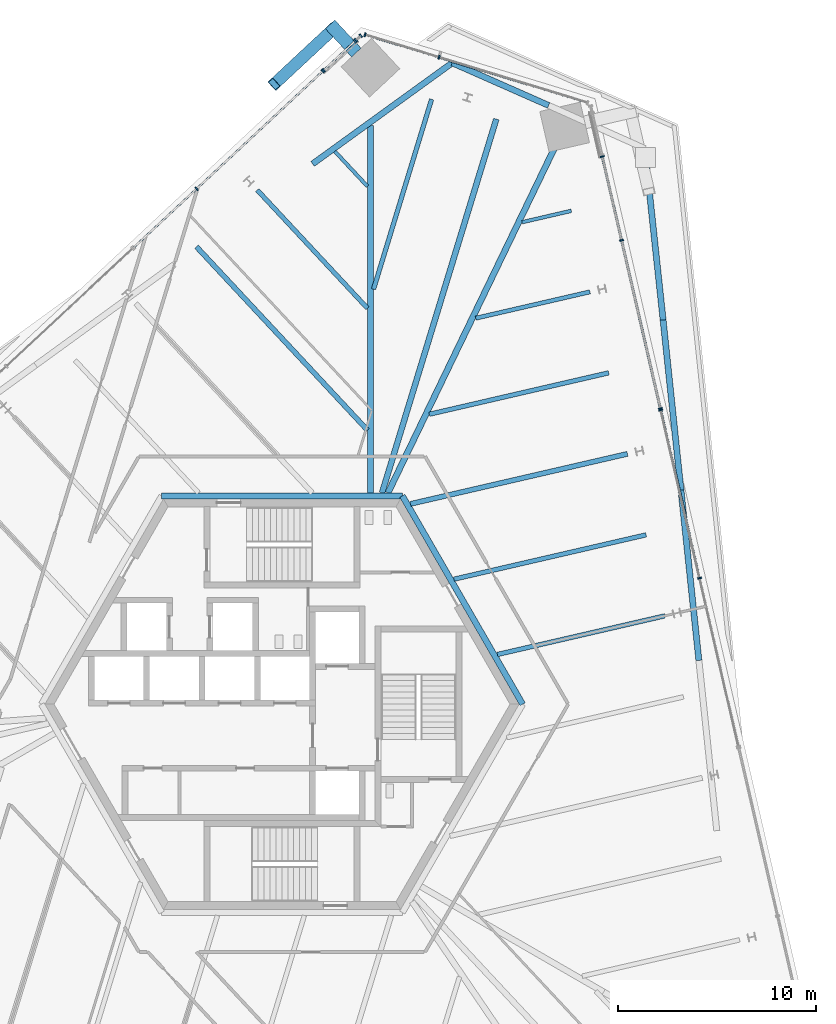
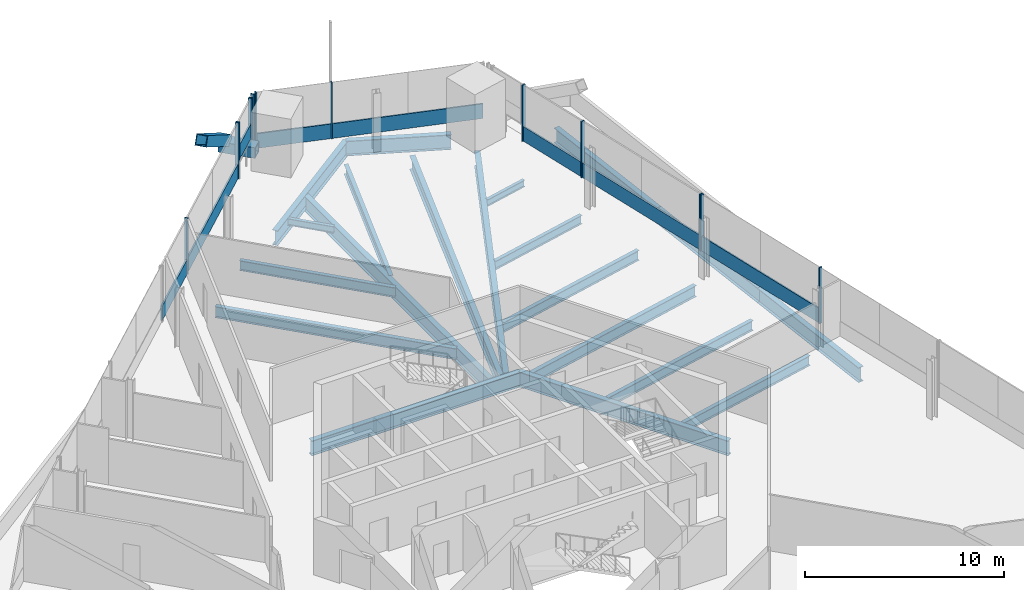
# One storey, part 9 of 25: 23 members, 20 beams, 6 elements without a shape of their own.
"""IFC4 building model written with IfcOpenShell, lengths in metres."""

from ifc_helpers import new_model, si_unit, direction, frame, origin, origin_2d, place, context, subcontext, project, spatial, rectangle, hollow_rectangle, i_section, extrude, source, transform, mapped, material, material_profile, profile_set, type_object, element, aggregate, save


model = new_model("IFC4")

# Units and contexts
model_context = context("Model", 3, precision=1e-05, world=origin(), true_north=direction((0.0, 1.0)))
body_context = subcontext(model_context, "Body", "Model", "MODEL_VIEW")
ifc_project = project(units=[si_unit("LENGTHUNIT", "METRE"), si_unit("AREAUNIT", "SQUARE_METRE"), si_unit("VOLUMEUNIT", "CUBIC_METRE"), si_unit("PLANEANGLEUNIT", "RADIAN"), si_unit("MASSUNIT", "GRAM", prefix="KILO")], contexts=[model_context])

# Site, building, storey
site_placement = place(None, origin())
site = spatial("IfcSite", under=ifc_project, at=site_placement, CompositionType="ELEMENT")
building_placement = place(site_placement, origin())
building = spatial("IfcBuilding", under=site, at=building_placement, Name="Triune Harvest Tower", CompositionType="ELEMENT")
storey_placement = place(building_placement, frame((0.0, 0.0, 98.300048828125)))
storey = spatial("IfcBuildingStorey", under=building, at=storey_placement, Name="L24", CompositionType="ELEMENT", Elevation=98.300048828125)

# Beams
ifc_material_1 = material(Name="Steel ASTM A992 Gr 50", Category="steel")
ifc_material_profile_1 = material_profile(ifc_material_1, i_section(OverallWidth=0.307373046875, OverallDepth=0.922119140625, WebThickness=0.018310546875, FlangeThickness=0.030029296875, at=origin_2d()), Name="W36x182")
ifc_profile_set_1 = profile_set([ifc_material_profile_1], Name="Steel ASTM A992 Gr 50")
beam_type_1 = type_object("IfcBeamType", Name="HG-2 Hip girder W36x182", PredefinedType="BEAM", material=ifc_profile_set_1)
beam_1_placement = place(storey_placement, frame((13.867431640625, 28.310546875, -0.62109375), z_axis=(-0.434864250674, -0.900496020805, 0.0), x_axis=(0.900496020805, -0.434864250674, 0.0)))
element("IfcBeam", 1, at=beam_1_placement, inside=storey, type_object=beam_type_1, Name="beam/L24/HG3", PredefinedType="BEAM", context=body_context, shape_type="SweptSolid", body=[
    extrude(i_section(OverallWidth=0.307373046875, OverallDepth=0.922119140625, WebThickness=0.018310546875, FlangeThickness=0.030029296875, at=origin_2d()), origin(), (0.0, 0.0, 1.0), 19.559814453125),
])
ifc_material_2 = material(Name="Steel ASTM A992 Gr 50", Category="steel")
ifc_material_profile_2 = material_profile(ifc_material_2, i_section(OverallWidth=0.22900390625, OverallDepth=0.612060546875, WebThickness=0.011962890625, FlangeThickness=0.01953125, at=origin_2d()), Name="W24x84")
ifc_profile_set_2 = profile_set([ifc_material_profile_2], Name="Steel ASTM A992 Gr 50")
beam_type_2 = type_object("IfcBeamType", Name="JT-3 Floor joist W24x84", PredefinedType="JOIST", material=ifc_profile_set_2)
beam_2_placement = place(storey_placement, frame((19.37109375, 4.47216796875, -0.466064453125), z_axis=(-0.974372262523, -0.224941534684, 0.0), x_axis=(0.224941534684, -0.974372262523, 0.0)))
element("IfcBeam", 2, at=beam_2_placement, inside=storey, type_object=beam_type_2, Name="beam/L24/JT6", PredefinedType="JOIST", context=body_context, shape_type="SweptSolid", body=[
    extrude(i_section(OverallWidth=0.22900390625, OverallDepth=0.612060546875, WebThickness=0.011962890625, FlangeThickness=0.01953125, at=origin_2d()), origin(), (0.0, 0.0, 1.0), 8.69482421875),
])
beam_3_placement = place(storey_placement, frame((18.4248046875, 8.571533203125, -0.466064453125), z_axis=(-0.974373465867, -0.224936322132, 0.0), x_axis=(0.224936322132, -0.974373465867, 0.0)))
element("IfcBeam", 3, at=beam_3_placement, inside=storey, type_object=beam_type_2, Name="beam/L24/JT7", PredefinedType="JOIST", context=body_context, shape_type="SweptSolid", body=[
    extrude(i_section(OverallWidth=0.22900390625, OverallDepth=0.612060546875, WebThickness=0.011962890625, FlangeThickness=0.01953125, at=origin_2d()), origin(), (0.0, 0.0, 1.0), 9.981201171875),
])
ifc_material_3 = material(Name="Steel ASTM A992 Gr 50", Category="steel")
ifc_material_profile_3 = material_profile(ifc_material_3, i_section(OverallWidth=0.3046875, OverallDepth=0.914306640625, WebThickness=0.0166015625, FlangeThickness=0.02587890625, at=origin_2d()), Name="W36x160")
ifc_profile_set_3 = profile_set([ifc_material_profile_3], Name="Steel ASTM A992 Gr 50")
beam_type_3 = type_object("IfcBeamType", Name="CG-1 Core ring girder W36x160", PredefinedType="BEAM", material=ifc_profile_set_3)
shared_shape_1 = source(origin(), body_context, "Body", "SweptSolid", [
    extrude(i_section(OverallWidth=0.3046875, OverallDepth=0.914306640625, WebThickness=0.0166015625, FlangeThickness=0.02587890625, at=origin_2d()), origin(), (0.0, 0.0, 1.0), 12.176025390625),
])
beam_4_placement = place(storey_placement, frame((12.176025390625, 0.0, -0.6171875), z_axis=(-0.5000099932, 0.866019634131, 0.0), x_axis=(-0.866019634131, -0.5000099932, 0.0)))
element("IfcBeam", 4, at=beam_4_placement, inside=storey, type_object=beam_type_3, Name="beam/L24/CG1", PredefinedType="BEAM", context=body_context, shape_type="MappedRepresentation", body=[
    mapped(shared_shape_1, transform((0.0, 0.0, 0.0), scale=1.0)),
])
shared_shape_2 = source(origin(), body_context, "Body", "SweptSolid", [
    extrude(i_section(OverallWidth=0.3046875, OverallDepth=0.914306640625, WebThickness=0.0166015625, FlangeThickness=0.02587890625, at=origin_2d()), origin(), (0.0, 0.0, 1.0), 12.17578125),
])
beam_5_placement = place(storey_placement, frame((6.087890625, 10.544677734375, -0.6171875), z_axis=(-1.0, 0.0, 0.0), x_axis=(0.0, -1.0, 0.0)))
element("IfcBeam", 5, at=beam_5_placement, inside=storey, type_object=beam_type_3, Name="beam/L24/CG2", PredefinedType="BEAM", context=body_context, shape_type="MappedRepresentation", body=[
    mapped(shared_shape_2, transform((0.0, 0.0, 0.0), scale=1.0)),
])
ifc_material_4 = material(Name="Steel ASTM A992 Gr 50", Category="steel")
ifc_material_profile_4 = material_profile(ifc_material_4, i_section(OverallWidth=0.3046875, OverallDepth=0.914306640625, WebThickness=0.0166015625, FlangeThickness=0.02587890625, at=origin_2d()), Name="W36x160")
ifc_profile_set_4 = profile_set([ifc_material_profile_4], Name="Steel ASTM A992 Gr 50")
beam_type_4 = type_object("IfcBeamType", Name="SB-1 Spandrel beam W36x160", PredefinedType="SPANDREL", material=ifc_profile_set_4)
shared_shape_3 = source(origin(), body_context, "Body", "SweptSolid", [
    extrude(i_section(OverallWidth=0.3046875, OverallDepth=0.914306640625, WebThickness=0.0166015625, FlangeThickness=0.02587890625, at=origin_2d()), origin(), (0.0, 0.0, 1.0), 8.722412109375),
])
beam_6_placement = place(storey_placement, frame((19.285400390625, 19.44677734375, -0.6171875), z_axis=(-0.106335459314, 0.994330312367, 0.0), x_axis=(-0.994330312367, -0.106335459314, 0.0)))
element("IfcBeam", 6, at=beam_6_placement, inside=storey, type_object=beam_type_4, Name="beam/L24/WB5", PredefinedType="SPANDREL", context=body_context, shape_type="MappedRepresentation", body=[
    mapped(shared_shape_3, transform((0.0, 0.0, 0.0), scale=1.0)),
])
shared_shape_4 = source(origin(), body_context, "Body", "SweptSolid", [
    extrude(i_section(OverallWidth=0.3046875, OverallDepth=0.914306640625, WebThickness=0.0166015625, FlangeThickness=0.02587890625, at=origin_2d()), origin(), (0.0, 0.0, 1.0), 8.662109375),
])
for number, where, z_axis, x_axis, name in (
    (7, (21.09619140625, 2.21728515625, -0.6171875), (-0.104508725265, 0.994523969718, 0.0), (-0.994523969718, -0.104508725265, 0.0), "beam/L24/WB3"),
    (8, (20.19091796875, 10.83203125, -0.6171875), (-0.104536601969, 0.994521039923, 0.0), (-0.994521039923, -0.104536601969, 0.0), "beam/L24/WB4"),
):
    element("IfcBeam", number, at=place(storey_placement, frame(where, z_axis=z_axis, x_axis=x_axis)), inside=storey, type_object=beam_type_4, Name=name, PredefinedType="SPANDREL", context=body_context, shape_type="MappedRepresentation", body=[
        mapped(shared_shape_4, transform((0.0, 0.0, 0.0), scale=1.0)),
    ])
shared_shape_5 = source(origin(), body_context, "Body", "SweptSolid", [
    extrude(i_section(OverallWidth=0.3046875, OverallDepth=0.914306640625, WebThickness=0.0166015625, FlangeThickness=0.02587890625, at=origin_2d()), origin(), (0.0, 0.0, 1.0), 5.333251953125),
])
beam_7_placement = place(storey_placement, frame((13.491943359375, 30.3037109375, -0.6171875), z_axis=(-0.914783001989, 0.40394561425, 0.0), x_axis=(-0.40394561425, -0.914783001989, 0.0)))
element("IfcBeam", 9, at=beam_7_placement, inside=storey, type_object=beam_type_4, Name="beam/L24/WB7", PredefinedType="SPANDREL", context=body_context, shape_type="MappedRepresentation", body=[
    mapped(shared_shape_5, transform((0.0, 0.0, 0.0), scale=1.0)),
])
shared_shape_6 = source(origin(), body_context, "Body", "SweptSolid", [
    extrude(i_section(OverallWidth=0.3046875, OverallDepth=0.914306640625, WebThickness=0.0166015625, FlangeThickness=0.02587890625, at=origin_2d()), origin(), (0.0, 0.0, 1.0), 8.72216796875),
])
beam_8_placement = place(storey_placement, frame((8.61328125, 32.4580078125, -0.6171875), z_axis=(-0.81011494486, -0.58627107733, 0.0), x_axis=(0.58627107733, -0.81011494486, 0.0)))
element("IfcBeam", 10, at=beam_8_placement, inside=storey, type_object=beam_type_4, Name="beam/L24/WB8", PredefinedType="SPANDREL", context=body_context, shape_type="MappedRepresentation", body=[
    mapped(shared_shape_6, transform((0.0, 0.0, 0.0), scale=1.0)),
])
shared_shape_7 = source(origin(), body_context, "Body", "SweptSolid", [
    extrude(i_section(OverallWidth=0.307373046875, OverallDepth=0.922119140625, WebThickness=0.018310546875, FlangeThickness=0.030029296875, at=origin_2d()), origin(), (0.0, 0.0, 1.0), 18.57958984375),
])
beam_9_placement = place(storey_placement, frame((4.47705078125, 29.276611328125, -0.62109375), z_axis=(0.0, -1.0, 0.0), x_axis=(1.0, 0.0, 0.0)))
element("IfcBeam", 11, at=beam_9_placement, inside=storey, type_object=beam_type_1, Name="beam/L24/HG4", PredefinedType="BEAM", context=body_context, shape_type="MappedRepresentation", body=[
    mapped(shared_shape_7, transform((0.0, 0.0, 0.0), scale=1.0)),
])
ifc_material_5 = material(Name="Steel ASTM A992 Gr 50", Category="steel")
ifc_material_profile_5 = material_profile(ifc_material_5, i_section(OverallWidth=0.253662109375, OverallDepth=0.683349609375, WebThickness=0.012451171875, FlangeThickness=0.01904296875, at=origin_2d()), Name="W27x94")
ifc_profile_set_5 = profile_set([ifc_material_profile_5], Name="Steel ASTM A992 Gr 50")
beam_type_5 = type_object("IfcBeamType", Name="JT-4 Floor joist W27x94", PredefinedType="JOIST", material=ifc_profile_set_5)
shared_shape_8 = source(origin(), body_context, "Body", "SweptSolid", [
    extrude(i_section(OverallWidth=0.253662109375, OverallDepth=0.683349609375, WebThickness=0.012451171875, FlangeThickness=0.01904296875, at=origin_2d()), origin(), (0.0, 0.0, 1.0), 12.684814453125),
])
beam_10_placement = place(storey_placement, frame((-4.32763671875, 23.147705078125, -0.501708984375), z_axis=(0.682002058294, -0.731350252945, 0.0), x_axis=(0.731350252945, 0.682002058294, 0.0)))
element("IfcBeam", 12, at=beam_10_placement, inside=storey, type_object=beam_type_5, Name="beam/L24/JT16", PredefinedType="JOIST", context=body_context, shape_type="MappedRepresentation", body=[
    mapped(shared_shape_8, transform((0.0, 0.0, 0.0), scale=1.0)),
])
shared_shape_9 = source(origin(), body_context, "Body", "SweptSolid", [
    extrude(i_section(OverallWidth=0.253662109375, OverallDepth=0.683349609375, WebThickness=0.012451171875, FlangeThickness=0.01904296875, at=origin_2d()), origin(), (0.0, 0.0, 1.0), 11.267333984375),
])
beam_11_placement = place(storey_placement, frame((17.478271484375, 12.6708984375, -0.501708984375), z_axis=(-0.974368548867, -0.224957620404, 0.0), x_axis=(0.224957620404, -0.974368548867, 0.0)))
element("IfcBeam", 13, at=beam_11_placement, inside=storey, type_object=beam_type_5, Name="beam/L24/JT8", PredefinedType="JOIST", context=body_context, shape_type="MappedRepresentation", body=[
    mapped(shared_shape_9, transform((0.0, 0.0, 0.0), scale=1.0)),
])
shared_shape_10 = source(origin(), body_context, "Body", "SweptSolid", [
    extrude(i_section(OverallWidth=0.22900390625, OverallDepth=0.612060546875, WebThickness=0.011962890625, FlangeThickness=0.01953125, at=origin_2d()), origin(), (0.0, 0.0, 1.0), 9.317626953125),
])
beam_12_placement = place(storey_placement, frame((16.53173828125, 16.770263671875, -0.466064453125), z_axis=(-0.9743717614, -0.224943705371, 0.0), x_axis=(0.224943705371, -0.9743717614, 0.0)))
element("IfcBeam", 14, at=beam_12_placement, inside=storey, type_object=beam_type_2, Name="beam/L24/JT9", PredefinedType="JOIST", context=body_context, shape_type="MappedRepresentation", body=[
    mapped(shared_shape_10, transform((0.0, 0.0, 0.0), scale=1.0)),
])
ifc_material_6 = material(Name="Steel ASTM A992 Gr 50", Category="steel")
ifc_material_profile_6 = material_profile(ifc_material_6, i_section(OverallWidth=0.2099609375, OverallDepth=0.535888671875, WebThickness=0.010986328125, FlangeThickness=0.017333984375, at=origin_2d()), Name="W21x68")
ifc_profile_set_6 = profile_set([ifc_material_profile_6], Name="Steel ASTM A992 Gr 50")
beam_type_6 = type_object("IfcBeamType", Name="JT-2 Floor joist W21x68", PredefinedType="JOIST", material=ifc_profile_set_6)
shared_shape_11 = source(origin(), body_context, "Body", "SweptSolid", [
    extrude(i_section(OverallWidth=0.2099609375, OverallDepth=0.535888671875, WebThickness=0.010986328125, FlangeThickness=0.017333984375, at=origin_2d()), origin(), (0.0, 0.0, 1.0), 5.937744140625),
])
beam_13_placement = place(storey_placement, frame((15.58544921875, 20.86962890625, -0.427978515625), z_axis=(-0.974371095696, -0.224946588934, 0.0), x_axis=(0.224946588934, -0.974371095696, 0.0)))
element("IfcBeam", 15, at=beam_13_placement, inside=storey, type_object=beam_type_6, Name="beam/L24/JT10", PredefinedType="JOIST", context=body_context, shape_type="MappedRepresentation", body=[
    mapped(shared_shape_11, transform((0.0, 0.0, 0.0), scale=1.0)),
])
ifc_material_7 = material(Name="Steel ASTM A992 Gr 50", Category="steel")
ifc_material_profile_7 = material_profile(ifc_material_7, i_section(OverallWidth=0.180908203125, OverallDepth=0.41650390625, WebThickness=0.010986328125, FlangeThickness=0.01806640625, at=origin_2d()), Name="W16x57")
ifc_profile_set_7 = profile_set([ifc_material_profile_7], Name="Steel ASTM A992 Gr 50")
beam_type_7 = type_object("IfcBeamType", Name="JT-1 Floor joist W16x57", PredefinedType="JOIST", material=ifc_profile_set_7)
shared_shape_12 = source(origin(), body_context, "Body", "SweptSolid", [
    extrude(i_section(OverallWidth=0.180908203125, OverallDepth=0.41650390625, WebThickness=0.010986328125, FlangeThickness=0.01806640625, at=origin_2d()), origin(), (0.0, 0.0, 1.0), 2.5576171875),
])
beam_14_placement = place(storey_placement, frame((14.638916015625, 24.968994140625, -0.368408203125), z_axis=(-0.974384760258, -0.224887391768, 0.0), x_axis=(0.224887391768, -0.974384760258, 0.0)))
element("IfcBeam", 16, at=beam_14_placement, inside=storey, type_object=beam_type_7, Name="beam/L24/JT11", PredefinedType="JOIST", context=body_context, shape_type="MappedRepresentation", body=[
    mapped(shared_shape_12, transform((0.0, 0.0, 0.0), scale=1.0)),
])
ifc_material_8 = material(Name="Steel ASTM A992 Gr 50", Category="steel")
ifc_material_profile_8 = material_profile(ifc_material_8, i_section(OverallWidth=0.2919921875, OverallDepth=0.8583984375, WebThickness=0.01708984375, FlangeThickness=0.031005859375, at=origin_2d()), Name="W33x169")
ifc_profile_set_8 = profile_set([ifc_material_profile_8], Name="Steel ASTM A992 Gr 50")
beam_type_8 = type_object("IfcBeamType", Name="JT-7 Floor joist W33x169", PredefinedType="JOIST", material=ifc_profile_set_8)
shared_shape_13 = source(origin(), body_context, "Body", "SweptSolid", [
    extrude(i_section(OverallWidth=0.2919921875, OverallDepth=0.8583984375, WebThickness=0.01708984375, FlangeThickness=0.031005859375, at=origin_2d()), origin(), (0.0, 0.0, 1.0), 19.77978515625),
])
beam_15_placement = place(storey_placement, frame((10.843994140625, 29.612548828125, -0.58935546875), z_axis=(-0.292367169961, -0.956306142367, 0.0), x_axis=(0.956306142367, -0.292367169961, 0.0)))
element("IfcBeam", 17, at=beam_15_placement, inside=storey, type_object=beam_type_8, Name="beam/L24/JT12", PredefinedType="JOIST", context=body_context, shape_type="MappedRepresentation", body=[
    mapped(shared_shape_13, transform((0.0, 0.0, 0.0), scale=1.0)),
])
shared_shape_14 = source(origin(), body_context, "Body", "SweptSolid", [
    extrude(i_section(OverallWidth=0.22900390625, OverallDepth=0.612060546875, WebThickness=0.011962890625, FlangeThickness=0.01953125, at=origin_2d()), origin(), (0.0, 0.0, 1.0), 10.05029296875),
])
beam_16_placement = place(storey_placement, frame((7.569091796875, 30.61376953125, -0.466064453125), z_axis=(-0.292356159581, -0.956309508452, 0.0), x_axis=(0.956309508452, -0.292356159581, 0.0)))
element("IfcBeam", 18, at=beam_16_placement, inside=storey, type_object=beam_type_2, Name="beam/L24/JT13", PredefinedType="JOIST", context=body_context, shape_type="MappedRepresentation", body=[
    mapped(shared_shape_14, transform((0.0, 0.0, 0.0), scale=1.0)),
])
shared_shape_15 = source(origin(), body_context, "Body", "SweptSolid", [
    extrude(i_section(OverallWidth=0.180908203125, OverallDepth=0.41650390625, WebThickness=0.010986328125, FlangeThickness=0.01806640625, at=origin_2d()), origin(), (0.0, 0.0, 1.0), 2.413818359375),
])
beam_17_placement = place(storey_placement, frame((2.67724609375, 27.973876953125, -0.368408203125), z_axis=(0.681997462685, -0.731354538436, 0.0), x_axis=(0.731354538436, 0.681997462685, 0.0)))
element("IfcBeam", 19, at=beam_17_placement, inside=storey, type_object=beam_type_7, Name="beam/L24/JT14", PredefinedType="JOIST", context=body_context, shape_type="MappedRepresentation", body=[
    mapped(shared_shape_15, transform((0.0, 0.0, 0.0), scale=1.0)),
])
shared_shape_16 = source(origin(), body_context, "Body", "SweptSolid", [
    extrude(i_section(OverallWidth=0.22900390625, OverallDepth=0.612060546875, WebThickness=0.011962890625, FlangeThickness=0.01953125, at=origin_2d()), origin(), (0.0, 0.0, 1.0), 8.173095703125),
])
beam_18_placement = place(storey_placement, frame((-1.25048828125, 26.01708984375, -0.466064453125), z_axis=(0.681987185882, -0.731364121551, 0.0), x_axis=(0.731364121551, 0.681987185882, 0.0)))
element("IfcBeam", 20, at=beam_18_placement, inside=storey, type_object=beam_type_2, Name="beam/L24/JT15", PredefinedType="JOIST", context=body_context, shape_type="MappedRepresentation", body=[
    mapped(shared_shape_16, transform((0.0, 0.0, 0.0), scale=1.0)),
])

# Members
ifc_material_9 = material(Name="Steel ASTM A572 Gr 50", Category="steel")
ifc_material_profile_9 = material_profile(ifc_material_9, hollow_rectangle(XDim=0.64990234375, YDim=0.64990234375, WallThickness=0.070068359375, at=origin_2d()), Name="Box 650x650x70")
ifc_profile_set_9 = profile_set([ifc_material_profile_9], Name="Steel ASTM A572 Gr 50")
member_type_1 = type_object("IfcMemberType", Name="BS-1 Brace stub Box 650x650x70", PredefinedType="STRUT", material=ifc_profile_set_9)
shared_shape_17 = source(origin(), body_context, "Body", "SweptSolid", [
    extrude(hollow_rectangle(XDim=0.64990234375, YDim=0.64990234375, WallThickness=0.070068359375, at=origin_2d()), origin(), (0.0, 0.0, 1.0), 1.94873046875),
])
member_1_placement = place(storey_placement, frame((3.760986328125, 32.980712890625, 0.599853515625), z_axis=(-0.68205930213, 0.731296867475, 0.0), x_axis=(-0.731296867475, -0.68205930213, 0.0)))
element("IfcMember", 21, at=member_1_placement, inside=storey, type_object=member_type_1, Name="brace/B3-F3/stub1", PredefinedType="STRUT", context=body_context, shape_type="MappedRepresentation", body=[
    mapped(shared_shape_17, transform((0.0, 0.0, 0.0), scale=1.0)),
])
ifc_material_10 = material(Name="Steel ASTM A572 Gr 50", Category="steel")
ifc_material_profile_10 = material_profile(ifc_material_10, hollow_rectangle(XDim=0.60009765625, YDim=0.60009765625, WallThickness=0.0400390625, at=origin_2d()), Name="Box 600x600x40")
ifc_profile_set_10 = profile_set([ifc_material_profile_10], Name="Steel ASTM A572 Gr 50")
member_type_2 = type_object("IfcMemberType", Name="BR-2 Brace Box 600x600x40", PredefinedType="BRACE", material=ifc_profile_set_10)
shared_shape_18 = source(origin(), body_context, "Body", "SweptSolid", [
    extrude(hollow_rectangle(XDim=0.60009765625, YDim=0.60009765625, WallThickness=0.0400390625, at=origin_2d()), origin(), (0.0, 0.0, 1.0), 4.943115234375),
])
member_2_placement = place(storey_placement, frame((2.623046875, 34.200927734375, 0.889892578125), z_axis=(-0.611654561924, -0.570363927738, 0.548236889322), x_axis=(0.681989931417, -0.731361561367, 0.0)))
element("IfcMember", 22, at=member_2_placement, inside=storey, type_object=member_type_2, Name="brace/B3-F3/d1/1", PredefinedType="BRACE", context=body_context, shape_type="MappedRepresentation", body=[
    mapped(shared_shape_18, transform((0.0, 0.0, 0.0), scale=1.0)),
])

# Curtain wall, members
ifc_material_11 = material(Name="Aluminium bronze anodised", Category="aluminium")
curtain_wall_type_1 = type_object("IfcCurtainWallType", Name="CW-1 Tower stick curtain wall", PredefinedType="NOTDEFINED", material=ifc_material_11)
curtain_wall_1_placement = place(storey_placement, origin())
curtain_wall_1 = element("IfcCurtainWall", 23, at=curtain_wall_1_placement, inside=storey, type_object=curtain_wall_type_1, Name="CW-1 B3-F1 L24 run 1101")
ifc_material_12 = material(Name="Aluminium bronze anodised", Category="aluminium")
ifc_material_profile_11 = material_profile(ifc_material_12, rectangle(XDim=0.199951171875, YDim=0.074951171875, at=origin_2d()), Name="MU-1 mullion 75 x 200")
ifc_profile_set_11 = profile_set([ifc_material_profile_11], Name="Aluminium bronze anodised")
member_type_3 = type_object("IfcMemberType", Name="MU-1 mullion 75 x 200", PredefinedType="MULLION", material=ifc_profile_set_11)
shared_shape_19 = source(origin(), body_context, "Body", "SweptSolid", [
    extrude(rectangle(XDim=0.199951171875, YDim=0.074951171875, at=origin_2d()), origin(), (0.0, 0.0, 1.0), 3.43994140625),
])
member_3_placement = place(storey_placement, frame((21.130859375, 6.379150390625, 0.0), z_axis=(0.0, 0.0, 1.0), x_axis=(-0.9743690995, -0.224955235412, 0.0)))
member_3 = element("IfcMember", 24, at=member_3_placement, type_object=member_type_3, Name="CW-1 mullion B3-F1 1101.3", PredefinedType="MULLION", context=body_context, shape_type="MappedRepresentation", body=[
    mapped(shared_shape_19, transform((0.0, 0.0, 0.0), scale=1.0)),
])
member_4_placement = place(storey_placement, frame((19.16552734375, 14.891357421875, 0.0), z_axis=(0.0, 0.0, 1.0), x_axis=(-0.9743690995, -0.224955235412, 0.0)))
member_4 = element("IfcMember", 25, at=member_4_placement, type_object=member_type_3, Name="CW-1 mullion B3-F1 1101.5", PredefinedType="MULLION", context=body_context, shape_type="MappedRepresentation", body=[
    mapped(shared_shape_19, transform((0.0, 0.0, 0.0), scale=1.0)),
])

ifc_material_13 = material(Name="Aluminium bronze anodised", Category="aluminium")
curtain_wall_type_2 = type_object("IfcCurtainWallType", Name="CW-7 Tower stick curtain wall with insulated spandrel infill", PredefinedType="NOTDEFINED", material=ifc_material_13)
curtain_wall_2_placement = place(storey_placement, origin())
curtain_wall_2 = element("IfcCurtainWall", 26, at=curtain_wall_2_placement, inside=storey, type_object=curtain_wall_type_2, Name="CW-7 B3-F1 L24 run 2101")
member_5_placement = place(storey_placement, frame((19.148681640625, 14.96435546875, 0.0), z_axis=(0.0, 0.0, 1.0), x_axis=(-0.974370444767, -0.224949408455, 0.0)))
member_5 = element("IfcMember", 27, at=member_5_placement, type_object=member_type_3, Name="CW-7 mullion B3-F1 2101.1", PredefinedType="MULLION", context=body_context, shape_type="MappedRepresentation", body=[
    mapped(shared_shape_19, transform((0.0, 0.0, 0.0), scale=1.0)),
])
member_6_placement = place(storey_placement, frame((17.18359375, 23.4765625, 0.0), z_axis=(0.0, 0.0, 1.0), x_axis=(-0.974370444767, -0.224949408455, 0.0)))
member_6 = element("IfcMember", 28, at=member_6_placement, type_object=member_type_3, Name="CW-7 mullion B3-F1 2101.3", PredefinedType="MULLION", context=body_context, shape_type="MappedRepresentation", body=[
    mapped(shared_shape_19, transform((0.0, 0.0, 0.0), scale=1.0)),
])
member_7_placement = place(storey_placement, frame((16.205322265625, 27.71435546875, 0.0), z_axis=(0.0, 0.0, 1.0), x_axis=(-0.974370444767, -0.224949408455, 0.0)))
member_7 = element("IfcMember", 29, at=member_7_placement, type_object=member_type_3, Name="CW-7 mullion B3-F1 2101.4", PredefinedType="MULLION", context=body_context, shape_type="MappedRepresentation", body=[
    mapped(shared_shape_19, transform((0.0, 0.0, 0.0), scale=1.0)),
])

curtain_wall_3_placement = place(storey_placement, origin())
curtain_wall_3 = element("IfcCurtainWall", 30, at=curtain_wall_3_placement, inside=storey, type_object=curtain_wall_type_1, Name="CW-1 B3-F2 L24 run 1")
member_8_placement = place(storey_placement, frame((7.945068359375, 32.740478515625, 0.0), z_axis=(0.0, 0.0, 1.0), x_axis=(-0.292376962095, -0.956303148607, 0.0)))
member_8 = element("IfcMember", 31, at=member_8_placement, type_object=member_type_3, Name="CW-1 mullion B3-F2 1.3", PredefinedType="MULLION", context=body_context, shape_type="MappedRepresentation", body=[
    mapped(shared_shape_19, transform((0.0, 0.0, 0.0), scale=1.0)),
])
member_9_placement = place(storey_placement, frame((4.20458984375, 33.884033203125, 0.0), z_axis=(0.0, 0.0, 1.0), x_axis=(-0.292376962095, -0.956303148607, 0.0)))
member_9 = element("IfcMember", 32, at=member_9_placement, type_object=member_type_3, Name="CW-1 mullion B3-F2 1.4", PredefinedType="MULLION", context=body_context, shape_type="MappedRepresentation", body=[
    mapped(shared_shape_19, transform((0.0, 0.0, 0.0), scale=1.0)),
])

curtain_wall_4_placement = place(storey_placement, origin())
curtain_wall_4 = element("IfcCurtainWall", 33, at=curtain_wall_4_placement, inside=storey, type_object=curtain_wall_type_1, Name="CW-1 B3-F3 L24 run 1")
member_10_placement = place(storey_placement, frame((3.9892578125, 33.83447265625, 0.0), z_axis=(0.0, 0.0, 1.0), x_axis=(0.6819102536, -0.731435852304, 0.0)))
member_10 = element("IfcMember", 34, at=member_10_placement, type_object=member_type_3, Name="CW-1 mullion B3-F3 1.1", PredefinedType="MULLION", context=body_context, shape_type="MappedRepresentation", body=[
    mapped(shared_shape_19, transform((0.0, 0.0, 0.0), scale=1.0)),
])
member_11_placement = place(storey_placement, frame((3.750244140625, 33.611572265625, 0.0), z_axis=(0.0, 0.0, 1.0), x_axis=(0.6819102536, -0.731435852304, 0.0)))
member_11 = element("IfcMember", 35, at=member_11_placement, type_object=member_type_3, Name="CW-1 mullion B3-F3 1.2", PredefinedType="MULLION", context=body_context, shape_type="MappedRepresentation", body=[
    mapped(shared_shape_19, transform((0.0, 0.0, 0.0), scale=1.0)),
])
aggregate(curtain_wall_4, [member_10, member_11])

curtain_wall_5_placement = place(storey_placement, origin())
curtain_wall_5 = element("IfcCurtainWall", 36, at=curtain_wall_5_placement, inside=storey, type_object=curtain_wall_type_2, Name="CW-7 B3-F3 L24 run 201")
member_12_placement = place(storey_placement, frame((2.06298828125, 32.0380859375, 0.0), z_axis=(0.0, 0.0, 1.0), x_axis=(0.681999530544, -0.731352610126, 0.0)))
member_12 = element("IfcMember", 37, at=member_12_placement, type_object=member_type_3, Name="CW-7 mullion B3-F3 201.1", PredefinedType="MULLION", context=body_context, shape_type="MappedRepresentation", body=[
    mapped(shared_shape_19, transform((0.0, 0.0, 0.0), scale=1.0)),
])
member_13_placement = place(storey_placement, frame((-4.326171875, 26.080078125, 0.0), z_axis=(0.0, 0.0, 1.0), x_axis=(0.681999530544, -0.731352610126, 0.0)))
member_13 = element("IfcMember", 38, at=member_13_placement, type_object=member_type_3, Name="CW-7 mullion B3-F3 201.3", PredefinedType="MULLION", context=body_context, shape_type="MappedRepresentation", body=[
    mapped(shared_shape_19, transform((0.0, 0.0, 0.0), scale=1.0)),
])

curtain_wall_6_placement = place(storey_placement, origin())
curtain_wall_6 = element("IfcCurtainWall", 39, at=curtain_wall_6_placement, inside=storey, type_object=curtain_wall_type_2, Name="CW-7 B3-F3 L24 run 101")
shared_shape_20 = source(origin(), body_context, "Body", "SweptSolid", [
    extrude(rectangle(XDim=0.199951171875, YDim=0.074951171875, at=origin_2d()), origin(), (0.0, 0.0, 1.0), 2.455078125),
])
member_14_placement = place(storey_placement, frame((3.695556640625, 33.560302734375, 0.98486328125), z_axis=(0.0, 0.0, 1.0), x_axis=(0.682014922759, -0.731338256304, 0.0)))
member_14 = element("IfcMember", 40, at=member_14_placement, type_object=member_type_3, Name="CW-7 mullion B3-F3 101.1", PredefinedType="MULLION", context=body_context, shape_type="MappedRepresentation", body=[
    mapped(shared_shape_20, transform((0.0, 0.0, 0.0), scale=1.0)),
])
member_15_placement = place(storey_placement, frame((2.117919921875, 32.089111328125, 0.98486328125), z_axis=(0.0, 0.0, 1.0), x_axis=(0.682014922759, -0.731338256304, 0.0)))
member_15 = element("IfcMember", 41, at=member_15_placement, type_object=member_type_3, Name="CW-7 mullion B3-F3 101.2", PredefinedType="MULLION", context=body_context, shape_type="MappedRepresentation", body=[
    mapped(shared_shape_20, transform((0.0, 0.0, 0.0), scale=1.0)),
])

# Member
ifc_material_14 = material(Name="Aluminium bronze anodised", Category="aluminium")
ifc_material_profile_12 = material_profile(ifc_material_14, rectangle(XDim=0.090087890625, YDim=0.89990234375, at=origin_2d()), Name="TR-1 transom 90 x 900")
ifc_profile_set_12 = profile_set([ifc_material_profile_12], Name="Aluminium bronze anodised")
member_type_4 = type_object("IfcMemberType", Name="TR-1 transom 90 x 900", PredefinedType="USERDEFINED", material=ifc_profile_set_12)
shared_shape_21 = source(origin(), body_context, "Body", "SweptSolid", [
    extrude(rectangle(XDim=0.090087890625, YDim=0.89990234375, at=origin_2d()), origin(), (0.0, 0.0, 1.0), 8.660888671875),
])
member_16_placement = place(storey_placement, frame((21.122314453125, 6.415771484375, 0.449951171875), z_axis=(-0.224945972331, 0.974371238046, 0.0), x_axis=(-0.974371238046, -0.224945972331, 0.0)))
member_16 = element("IfcMember", 42, at=member_16_placement, type_object=member_type_4, Name="CW-1 transom B3-F1 1101.2", ObjectType="TRANSOM", PredefinedType="USERDEFINED", context=body_context, shape_type="MappedRepresentation", body=[
    mapped(shared_shape_21, transform((0.0, 0.0, 0.0), scale=1.0)),
])

aggregate(curtain_wall_1, [member_3, member_4, member_16])

member_17_placement = place(storey_placement, frame((19.140380859375, 15.0009765625, 0.449951171875), z_axis=(-0.224945972331, 0.974371238046, 0.0), x_axis=(-0.974371238046, -0.224945972331, 0.0)))
member_17 = element("IfcMember", 43, at=member_17_placement, type_object=member_type_4, Name="CW-7 transom B3-F1 2101.1", ObjectType="TRANSOM", PredefinedType="USERDEFINED", context=body_context, shape_type="MappedRepresentation", body=[
    mapped(shared_shape_21, transform((0.0, 0.0, 0.0), scale=1.0)),
])

shared_shape_22 = source(origin(), body_context, "Body", "SweptSolid", [
    extrude(rectangle(XDim=0.090087890625, YDim=0.89990234375, at=origin_2d()), origin(), (0.0, 0.0, 1.0), 4.2744140625),
])
member_18_placement = place(storey_placement, frame((17.175048828125, 23.512939453125, 0.449951171875), z_axis=(-0.224930422189, 0.974374827863, 0.0), x_axis=(-0.974374827863, -0.224930422189, 0.0)))
member_18 = element("IfcMember", 44, at=member_18_placement, type_object=member_type_4, Name="CW-7 transom B3-F1 2101.2", ObjectType="TRANSOM", PredefinedType="USERDEFINED", context=body_context, shape_type="MappedRepresentation", body=[
    mapped(shared_shape_22, transform((0.0, 0.0, 0.0), scale=1.0)),
])

aggregate(curtain_wall_2, [member_5, member_6, member_7, member_17, member_18])

shared_shape_23 = source(origin(), body_context, "Body", "SweptSolid", [
    extrude(rectangle(XDim=0.090087890625, YDim=0.89990234375, at=origin_2d()), origin(), (0.0, 0.0, 1.0), 2.082275390625),
])
member_19_placement = place(storey_placement, frame((3.66796875, 33.534912109375, 1.43505859375), z_axis=(-0.731300865247, -0.682055015735, 0.0), x_axis=(0.682055015735, -0.731300865247, 0.0)))
member_19 = element("IfcMember", 45, at=member_19_placement, type_object=member_type_4, Name="CW-7 transom B3-F3 101.1", ObjectType="TRANSOM", PredefinedType="USERDEFINED", context=body_context, shape_type="MappedRepresentation", body=[
    mapped(shared_shape_23, transform((0.0, 0.0, 0.0), scale=1.0)),
])

aggregate(curtain_wall_6, [member_14, member_15, member_19])

shared_shape_24 = source(origin(), body_context, "Body", "SweptSolid", [
    extrude(rectangle(XDim=0.090087890625, YDim=0.89990234375, at=origin_2d()), origin(), (0.0, 0.0, 1.0), 7.78564453125),
])
member_20_placement = place(storey_placement, frame((15.42626953125, 30.453125, 0.449951171875), z_axis=(-0.956300923205, 0.292384240817, 0.0), x_axis=(-0.292384240817, -0.956300923205, 0.0)))
member_20 = element("IfcMember", 46, at=member_20_placement, type_object=member_type_4, Name="CW-1 transom B3-F2 1.1", ObjectType="TRANSOM", PredefinedType="USERDEFINED", context=body_context, shape_type="MappedRepresentation", body=[
    mapped(shared_shape_24, transform((0.0, 0.0, 0.0), scale=1.0)),
])

shared_shape_25 = source(origin(), body_context, "Body", "SweptSolid", [
    extrude(rectangle(XDim=0.090087890625, YDim=0.89990234375, at=origin_2d()), origin(), (0.0, 0.0, 1.0), 3.83642578125),
])
member_21_placement = place(storey_placement, frame((7.9091796875, 32.75146484375, 0.449951171875), z_axis=(-0.956308580564, 0.292359194724, 0.0), x_axis=(-0.292359194724, -0.956308580564, 0.0)))
member_21 = element("IfcMember", 47, at=member_21_placement, type_object=member_type_4, Name="CW-1 transom B3-F2 1.2", ObjectType="TRANSOM", PredefinedType="USERDEFINED", context=body_context, shape_type="MappedRepresentation", body=[
    mapped(shared_shape_25, transform((0.0, 0.0, 0.0), scale=1.0)),
])

aggregate(curtain_wall_3, [member_8, member_9, member_20, member_21])

shared_shape_26 = source(origin(), body_context, "Body", "SweptSolid", [
    extrude(rectangle(XDim=0.090087890625, YDim=0.89990234375, at=origin_2d()), origin(), (0.0, 0.0, 1.0), 8.6611328125),
])
member_22_placement = place(storey_placement, frame((2.03564453125, 32.012451171875, 0.449951171875), z_axis=(-0.731368273291, -0.681982733523, 0.0), x_axis=(0.681982733523, -0.731368273291, 0.0)))
member_22 = element("IfcMember", 48, at=member_22_placement, type_object=member_type_4, Name="CW-7 transom B3-F3 201.1", ObjectType="TRANSOM", PredefinedType="USERDEFINED", context=body_context, shape_type="MappedRepresentation", body=[
    mapped(shared_shape_26, transform((0.0, 0.0, 0.0), scale=1.0)),
])

shared_shape_27 = source(origin(), body_context, "Body", "SweptSolid", [
    extrude(rectangle(XDim=0.090087890625, YDim=0.89990234375, at=origin_2d()), origin(), (0.0, 0.0, 1.0), 4.274169921875),
])
member_23_placement = place(storey_placement, frame((-4.353515625, 26.054443359375, 0.449951171875), z_axis=(-0.731351512532, -0.682000707563, 0.0), x_axis=(0.682000707563, -0.731351512532, 0.0)))
member_23 = element("IfcMember", 49, at=member_23_placement, type_object=member_type_4, Name="CW-7 transom B3-F3 201.2", ObjectType="TRANSOM", PredefinedType="USERDEFINED", context=body_context, shape_type="MappedRepresentation", body=[
    mapped(shared_shape_27, transform((0.0, 0.0, 0.0), scale=1.0)),
])

aggregate(curtain_wall_5, [member_12, member_13, member_22, member_23])

save(model, "model.ifc")
